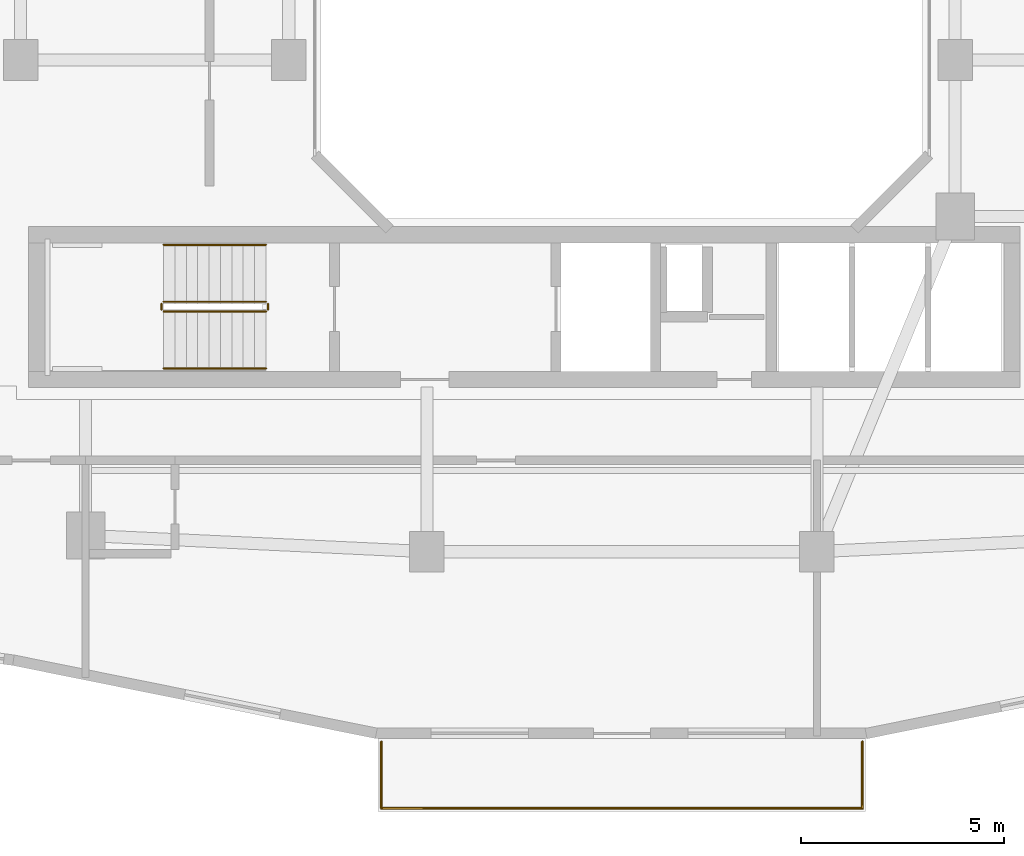
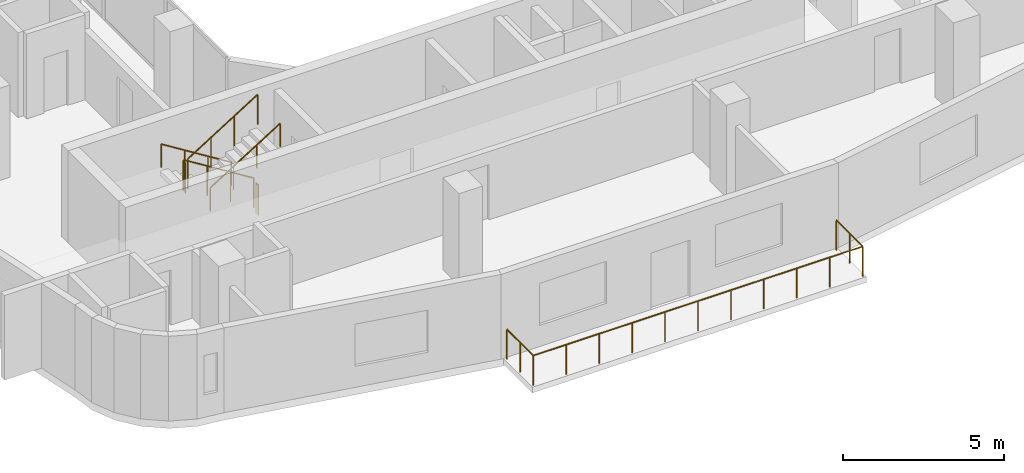
# One storey, part 22 of 26: 9 railings.
"""IFC4 building model written with IfcOpenShell, lengths in metres."""

from ifc_helpers import new_model, si_unit, derived_unit, direction, frame, origin, origin_2d, place, context, subcontext, project, spatial, circle, extrude, material, type_object, element, save


model = new_model("IFC4")

# Units and contexts
model_context = context("Model", 3, precision=1e-05, world=origin(), true_north=direction((0.0, 1.0)))
body_context = subcontext(model_context, "Body", "Model", "MODEL_VIEW")
ifc_project = project(units=[si_unit("LENGTHUNIT", "METRE"), si_unit("AREAUNIT", "SQUARE_METRE"), si_unit("VOLUMEUNIT", "CUBIC_METRE"), si_unit("PLANEANGLEUNIT", "RADIAN"), si_unit("MASSUNIT", "GRAM", prefix="KILO"), derived_unit("THERMALTRANSMITTANCEUNIT", [(si_unit("POWERUNIT", "WATT"), 1), (si_unit("LENGTHUNIT", "METRE"), -2), (si_unit("THERMODYNAMICTEMPERATUREUNIT", "KELVIN"), -1)])], contexts=[model_context])

# Site, building, storey
site_placement = place(None, origin())
site = spatial("IfcSite", under=ifc_project, at=site_placement, CompositionType="ELEMENT")
building_placement = place(site_placement, origin())
building = spatial("IfcBuilding", under=site, at=building_placement, Name="Kivonza Crest Hotel", CompositionType="ELEMENT")
storey_placement = place(building_placement, frame((0.0, 0.0, 95.0)))
storey = spatial("IfcBuildingStorey", under=building, at=storey_placement, Name="L25", CompositionType="ELEMENT", Elevation=95.0)

# Railings
ifc_material_1 = material(Name="Brushed stainless steel handrail", Category="steel")
railing_type_1 = type_object("IfcRailingType", Name="RL-HAND-900", PredefinedType="HANDRAIL", material=ifc_material_1)
railing_1_placement = place(storey_placement, frame((12.239990234375, 16.949951171875, 0.175048828125)))
element("IfcRailing", 1, at=railing_1_placement, inside=storey, type_object=railing_type_1, Name="L25 ST-T1-S stair handrail 1", PredefinedType="HANDRAIL", context=body_context, shape_type="SweptSolid", body=[
    extrude(circle(Radius=0.02392578125, at=origin_2d()), frame((0.0, 0.0, 0.8759765625), z_axis=(-0.848007534815, 0.0, 0.529984170421), x_axis=(0.0, -1.0, 0.0)), (0.0, 0.0, 1.0), 2.9716796875),
    extrude(circle(Radius=0.02099609375, at=origin_2d()), origin(), (0.0, 0.0, 1.0), 0.851806640625),
    extrude(circle(Radius=0.02099609375, at=origin_2d()), frame((-0.840087890625, 0.0, 0.52490234375)), (0.0, 0.0, 1.0), 0.851806640625),
    extrude(circle(Radius=0.02099609375, at=origin_2d()), frame((-1.679931640625, 0.0, 1.050048828125)), (0.0, 0.0, 1.0), 0.851806640625),
    extrude(circle(Radius=0.02099609375, at=origin_2d()), frame((-2.52001953125, 0.0, 1.574951171875)), (0.0, 0.0, 1.0), 0.851806640625),
])
railing_2_placement = place(storey_placement, frame((9.719970703125, 13.909912109375, 1.925048828125)))
element("IfcRailing", 2, at=railing_2_placement, inside=storey, type_object=railing_type_1, Name="L25 ST-T1-S stair handrail 2", PredefinedType="HANDRAIL", context=body_context, shape_type="SweptSolid", body=[
    extrude(circle(Radius=0.02392578125, at=origin_2d()), frame((0.0, 0.0, 0.8759765625), z_axis=(0.848007534815, 0.0, 0.529984170421), x_axis=(0.0, 1.0, 0.0)), (0.0, 0.0, 1.0), 2.9716796875),
    extrude(circle(Radius=0.02099609375, at=origin_2d()), origin(), (0.0, 0.0, 1.0), 0.851806640625),
    extrude(circle(Radius=0.02099609375, at=origin_2d()), frame((0.840087890625, 0.0, 0.52490234375)), (0.0, 0.0, 1.0), 0.851806640625),
    extrude(circle(Radius=0.02099609375, at=origin_2d()), frame((1.679931640625, 0.0, 1.050048828125)), (0.0, 0.0, 1.0), 0.851806640625),
    extrude(circle(Radius=0.02099609375, at=origin_2d()), frame((2.52001953125, 0.0, 1.574951171875)), (0.0, 0.0, 1.0), 0.851806640625),
])
ifc_material_2 = material(Name="Painted steel balustrade", Category="steel")
railing_type_2 = type_object("IfcRailingType", Name="RL-STAIR-1150", PredefinedType="BALUSTRADE", material=ifc_material_2)
railing_3_placement = place(storey_placement, frame((12.239990234375, 15.550048828125, 0.175048828125)))
element("IfcRailing", 3, at=railing_3_placement, inside=storey, type_object=railing_type_2, Name="L25 ST-T1-S stair guard 1", PredefinedType="BALUSTRADE", context=body_context, shape_type="SweptSolid", body=[
    extrude(circle(Radius=0.02392578125, at=origin_2d()), frame((0.0, 0.0, 1.1259765625), z_axis=(-0.848007534815, 0.0, 0.529984170421), x_axis=(0.0, -1.0, 0.0)), (0.0, 0.0, 1.0), 2.9716796875),
    extrude(circle(Radius=0.02099609375, at=origin_2d()), origin(), (0.0, 0.0, 1.0), 1.101806640625),
    extrude(circle(Radius=0.02099609375, at=origin_2d()), frame((-0.840087890625, 0.0, 0.52490234375)), (0.0, 0.0, 1.0), 1.101806640625),
    extrude(circle(Radius=0.02099609375, at=origin_2d()), frame((-1.679931640625, 0.0, 1.050048828125)), (0.0, 0.0, 1.0), 1.101806640625),
    extrude(circle(Radius=0.02099609375, at=origin_2d()), frame((-2.52001953125, 0.0, 1.574951171875)), (0.0, 0.0, 1.0), 1.101806640625),
])
railing_4_placement = place(storey_placement, frame((9.669921875, 15.5, 1.75)))
element("IfcRailing", 4, at=railing_4_placement, inside=storey, type_object=railing_type_2, Name="L25 ST-T1-S stair guard 2", PredefinedType="BALUSTRADE", context=body_context, shape_type="SweptSolid", body=[
    extrude(circle(Radius=0.02392578125, at=origin_2d()), frame((0.0, 0.0, 1.1259765625), z_axis=(0.0, -1.0, 0.0), x_axis=(1.0, 0.0, 0.0)), (0.0, 0.0, 1.0), 0.139892578125),
    extrude(circle(Radius=0.02099609375, at=origin_2d()), origin(), (0.0, 0.0, 1.0), 1.101806640625),
    extrude(circle(Radius=0.02099609375, at=origin_2d()), frame((0.0, -0.139892578125, 0.0)), (0.0, 0.0, 1.0), 1.101806640625),
])
railing_5_placement = place(storey_placement, frame((9.719970703125, 15.31005859375, 1.925048828125)))
element("IfcRailing", 5, at=railing_5_placement, inside=storey, type_object=railing_type_2, Name="L25 ST-T1-S stair guard 3", PredefinedType="BALUSTRADE", context=body_context, shape_type="SweptSolid", body=[
    extrude(circle(Radius=0.02392578125, at=origin_2d()), frame((0.0, 0.0, 1.1259765625), z_axis=(0.848007534815, 0.0, 0.529984170421), x_axis=(0.0, 1.0, 0.0)), (0.0, 0.0, 1.0), 2.9716796875),
    extrude(circle(Radius=0.02099609375, at=origin_2d()), origin(), (0.0, 0.0, 1.0), 1.101806640625),
    extrude(circle(Radius=0.02099609375, at=origin_2d()), frame((0.840087890625, 0.0, 0.52490234375)), (0.0, 0.0, 1.0), 1.101806640625),
    extrude(circle(Radius=0.02099609375, at=origin_2d()), frame((1.679931640625, 0.0, 1.050048828125)), (0.0, 0.0, 1.0), 1.101806640625),
    extrude(circle(Radius=0.02099609375, at=origin_2d()), frame((2.52001953125, 0.0, 1.574951171875)), (0.0, 0.0, 1.0), 1.101806640625),
])
railing_6_placement = place(storey_placement, frame((12.2900390625, 15.5, 0.0)))
element("IfcRailing", 6, at=railing_6_placement, inside=storey, type_object=railing_type_2, Name="L25 ST-T1-S stair guard 4", PredefinedType="BALUSTRADE", context=body_context, shape_type="SweptSolid", body=[
    extrude(circle(Radius=0.02392578125, at=origin_2d()), frame((0.0, 0.0, 1.1259765625), z_axis=(0.0, -1.0, 0.0), x_axis=(1.0, 0.0, 0.0)), (0.0, 0.0, 1.0), 0.139892578125),
    extrude(circle(Radius=0.02099609375, at=origin_2d()), origin(), (0.0, 0.0, 1.0), 1.101806640625),
    extrude(circle(Radius=0.02099609375, at=origin_2d()), frame((0.0, -0.139892578125, 0.0)), (0.0, 0.0, 1.0), 1.101806640625),
])
ifc_material_3 = material(Name="Laminated glass and stainless steel balustrade", Category="steel")
railing_type_3 = type_object("IfcRailingType", Name="RL-TERR-1150", PredefinedType="BALUSTRADE", material=ifc_material_3)
railing_7_placement = place(storey_placement, frame((15.080078125, 3.080078125, 0.0)))
element("IfcRailing", 7, at=railing_7_placement, inside=storey, type_object=railing_type_3, Name="L25 T1-L25-TS perimeter safety balustrade 1", PredefinedType="BALUSTRADE", context=body_context, shape_type="SweptSolid", body=[
    extrude(circle(Radius=0.02392578125, at=origin_2d()), frame((0.0, 0.0, 1.1259765625), z_axis=(0.0, 1.0, 0.0), x_axis=(-1.0, 0.0, 0.0)), (0.0, 0.0, 1.0), 1.639892578125),
    extrude(circle(Radius=0.02099609375, at=origin_2d()), origin(), (0.0, 0.0, 1.0), 1.101806640625),
    extrude(circle(Radius=0.02099609375, at=origin_2d()), frame((0.0, 0.81982421875, 0.0)), (0.0, 0.0, 1.0), 1.101806640625),
    extrude(circle(Radius=0.02099609375, at=origin_2d()), frame((0.0, 1.639892578125, 0.0)), (0.0, 0.0, 1.0), 1.101806640625),
])
railing_8_placement = place(storey_placement, frame((26.919921875, 4.719970703125, 0.0)))
element("IfcRailing", 8, at=railing_8_placement, inside=storey, type_object=railing_type_3, Name="L25 T1-L25-TS perimeter safety balustrade 2", PredefinedType="BALUSTRADE", context=body_context, shape_type="SweptSolid", body=[
    extrude(circle(Radius=0.02392578125, at=origin_2d()), frame((0.0, 0.0, 1.1259765625), z_axis=(0.0, -1.0, 0.0), x_axis=(1.0, 0.0, 0.0)), (0.0, 0.0, 1.0), 1.639892578125),
    extrude(circle(Radius=0.02099609375, at=origin_2d()), origin(), (0.0, 0.0, 1.0), 1.101806640625),
    extrude(circle(Radius=0.02099609375, at=origin_2d()), frame((0.0, -0.81982421875, 0.0)), (0.0, 0.0, 1.0), 1.101806640625),
    extrude(circle(Radius=0.02099609375, at=origin_2d()), frame((0.0, -1.639892578125, 0.0)), (0.0, 0.0, 1.0), 1.101806640625),
])
railing_9_placement = place(storey_placement, frame((26.919921875, 3.080078125, 0.0)))
element("IfcRailing", 9, at=railing_9_placement, inside=storey, type_object=railing_type_3, Name="L25 T1-L25-TS perimeter safety balustrade 3", PredefinedType="BALUSTRADE", context=body_context, shape_type="SweptSolid", body=[
    extrude(circle(Radius=0.02392578125, at=origin_2d()), frame((0.0, 0.0, 1.1259765625), z_axis=(-1.0, 0.0, 0.0), x_axis=(0.0, -1.0, 0.0)), (0.0, 0.0, 1.0), 11.83984375),
    extrude(circle(Radius=0.02099609375, at=origin_2d()), origin(), (0.0, 0.0, 1.0), 1.101806640625),
    extrude(circle(Radius=0.02099609375, at=origin_2d()), frame((-1.18408203125, 0.0, 0.0)), (0.0, 0.0, 1.0), 1.101806640625),
    extrude(circle(Radius=0.02099609375, at=origin_2d()), frame((-2.367919921875, 0.0, 0.0)), (0.0, 0.0, 1.0), 1.101806640625),
    extrude(circle(Radius=0.02099609375, at=origin_2d()), frame((-3.552001953125, 0.0, 0.0)), (0.0, 0.0, 1.0), 1.101806640625),
    extrude(circle(Radius=0.02099609375, at=origin_2d()), frame((-4.73583984375, 0.0, 0.0)), (0.0, 0.0, 1.0), 1.101806640625),
    extrude(circle(Radius=0.02099609375, at=origin_2d()), frame((-5.919921875, 0.0, 0.0)), (0.0, 0.0, 1.0), 1.101806640625),
    extrude(circle(Radius=0.02099609375, at=origin_2d()), frame((-7.10400390625, 0.0, 0.0)), (0.0, 0.0, 1.0), 1.101806640625),
    extrude(circle(Radius=0.02099609375, at=origin_2d()), frame((-8.287841796875, 0.0, 0.0)), (0.0, 0.0, 1.0), 1.101806640625),
    extrude(circle(Radius=0.02099609375, at=origin_2d()), frame((-9.471923828125, 0.0, 0.0)), (0.0, 0.0, 1.0), 1.101806640625),
    extrude(circle(Radius=0.02099609375, at=origin_2d()), frame((-10.65576171875, 0.0, 0.0)), (0.0, 0.0, 1.0), 1.101806640625),
    extrude(circle(Radius=0.02099609375, at=origin_2d()), frame((-11.83984375, 0.0, 0.0)), (0.0, 0.0, 1.0), 1.101806640625),
])

save(model, "model.ifc")
